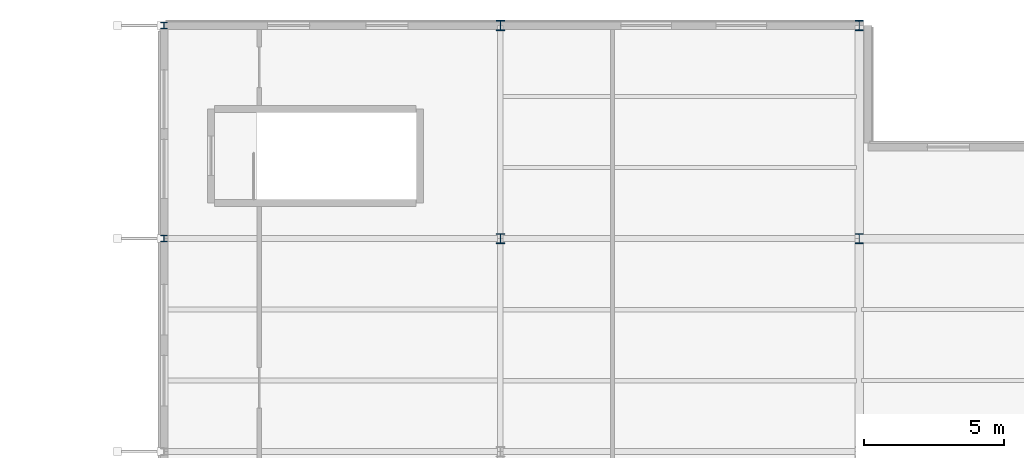
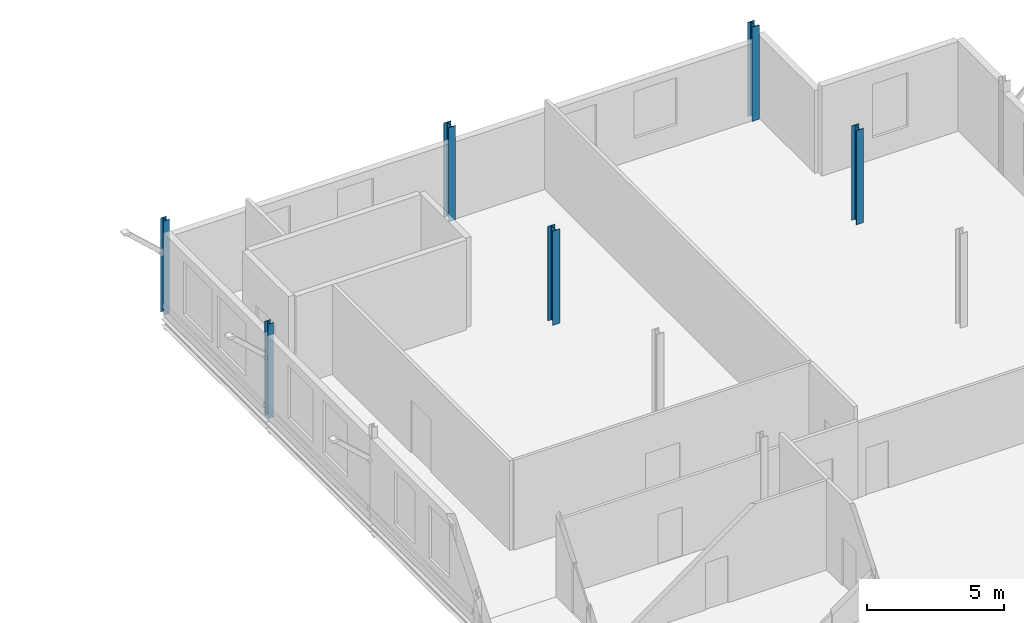
# One storey, part 9 of 25: 6 columns.
"""IFC4 building model written with IfcOpenShell, lengths in metres."""

from ifc_helpers import new_model, si_unit, direction, frame, origin, origin_2d, place, context, subcontext, project, spatial, i_section, extrude, material, material_profile, profile_set, type_object, element, save


model = new_model("IFC4")

# Units and contexts
model_context = context("Model", 3, precision=1e-05, world=origin(), true_north=direction((0.0, 1.0)))
body_context = subcontext(model_context, "Body", "Model", "MODEL_VIEW")
ifc_project = project(units=[si_unit("LENGTHUNIT", "METRE"), si_unit("AREAUNIT", "SQUARE_METRE"), si_unit("VOLUMEUNIT", "CUBIC_METRE"), si_unit("PLANEANGLEUNIT", "RADIAN"), si_unit("MASSUNIT", "GRAM", prefix="KILO")], contexts=[model_context])

# Site, building, storey
site_placement = place(None, origin())
site = spatial("IfcSite", under=ifc_project, at=site_placement, CompositionType="ELEMENT")
building_placement = place(site_placement, origin())
building = spatial("IfcBuilding", under=site, at=building_placement, Name="Vekula Escarpment Museum", CompositionType="ELEMENT")
storey_placement = place(building_placement, frame((0.0, 0.0, 26.39990234375)))
storey = spatial("IfcBuildingStorey", under=building, at=storey_placement, Name="L06", CompositionType="ELEMENT", Elevation=26.39990234375)

# Columns
ifc_material_1 = material(Name="Steel S355", Category="steel")
ifc_material_profile_1 = material_profile(ifc_material_1, i_section(OverallWidth=0.239990234375, OverallDepth=0.22998046875, WebThickness=0.007568359375, FlangeThickness=0.011962890625, FilletRadius=0.02099609375, at=origin_2d()), Name="HEA 240")
ifc_profile_set_1 = profile_set([ifc_material_profile_1], Name="Steel S355")
column_type_1 = type_object("IfcColumnType", Name="COL-S-HEA240", PredefinedType="COLUMN", material=ifc_profile_set_1)
column_1_placement = place(storey_placement, frame((167.0, 120.800048828125, 0.0), z_axis=(0.0, 0.0, 1.0), x_axis=(1.0, 0.0, 0.0)))
element("IfcColumn", 1, at=column_1_placement, inside=storey, type_object=column_type_1, Name="Column L06 (167.0,120.8)", PredefinedType="COLUMN", context=body_context, shape_type="SweptSolid", body=[
    extrude(i_section(OverallWidth=0.239990234375, OverallDepth=0.22998046875, WebThickness=0.007568359375, FlangeThickness=0.011962890625, FilletRadius=0.02099609375, at=origin_2d()), origin(), (0.0, 0.0, 1.0), 4.2001953125),
])
ifc_material_2 = material(Name="Steel S355", Category="steel")
ifc_material_profile_2 = material_profile(ifc_material_2, i_section(OverallWidth=0.239990234375, OverallDepth=0.239990234375, WebThickness=0.010009765625, FlangeThickness=0.01708984375, FilletRadius=0.02099609375, at=origin_2d()), Name="HEB 240")
ifc_profile_set_2 = profile_set([ifc_material_profile_2], Name="Steel S355")
column_type_2 = type_object("IfcColumnType", Name="COL-S-HEB240", PredefinedType="COLUMN", material=ifc_profile_set_2)
column_2_placement = place(storey_placement, frame((167.0, 113.199951171875, 0.0), z_axis=(0.0, 0.0, 1.0), x_axis=(1.0, 0.0, 0.0)))
element("IfcColumn", 2, at=column_2_placement, inside=storey, type_object=column_type_2, Name="Column L06 (167.0,113.2)", PredefinedType="COLUMN", context=body_context, shape_type="SweptSolid", body=[
    extrude(i_section(OverallWidth=0.239990234375, OverallDepth=0.239990234375, WebThickness=0.010009765625, FlangeThickness=0.01708984375, FilletRadius=0.02099609375, at=origin_2d()), origin(), (0.0, 0.0, 1.0), 4.2001953125),
])
ifc_material_3 = material(Name="Steel S355", Category="steel")
ifc_material_profile_3 = material_profile(ifc_material_3, i_section(OverallWidth=0.300048828125, OverallDepth=0.360107421875, WebThickness=0.012451171875, FlangeThickness=0.0224609375, FilletRadius=0.027099609375, at=origin_2d()), Name="HEB 360")
ifc_profile_set_3 = profile_set([ifc_material_profile_3], Name="Steel S355")
column_type_3 = type_object("IfcColumnType", Name="COL-S-HEB360", PredefinedType="COLUMN", material=ifc_profile_set_3)
for number, where, z_axis, x_axis, name in (
    (3, (179.0, 113.199951171875, 0.0), (0.0, 0.0, 1.0), (1.0, 0.0, 0.0), "Column L06 (179.0,113.2)"),
    (4, (179.0, 120.800048828125, 0.0), (0.0, 0.0, 1.0), (1.0, 0.0, 0.0), "Column L06 (179.0,120.8)"),
    (5, (191.800048828125, 113.199951171875, 0.0), (0.0, 0.0, 1.0), (1.0, 0.0, 0.0), "Column L06 (191.8,113.2)"),
    (6, (191.800048828125, 120.800048828125, 0.0), (0.0, 0.0, 1.0), (1.0, 0.0, 0.0), "Column L06 (191.8,120.8)"),
):
    element("IfcColumn", number, at=place(storey_placement, frame(where, z_axis=z_axis, x_axis=x_axis)), inside=storey, type_object=column_type_3, Name=name, PredefinedType="COLUMN", context=body_context, shape_type="SweptSolid", body=[
        extrude(i_section(OverallWidth=0.300048828125, OverallDepth=0.360107421875, WebThickness=0.012451171875, FlangeThickness=0.0224609375, FilletRadius=0.027099609375, at=origin_2d()), origin(), (0.0, 0.0, 1.0), 4.2001953125),
    ])

save(model, "model.ifc")
